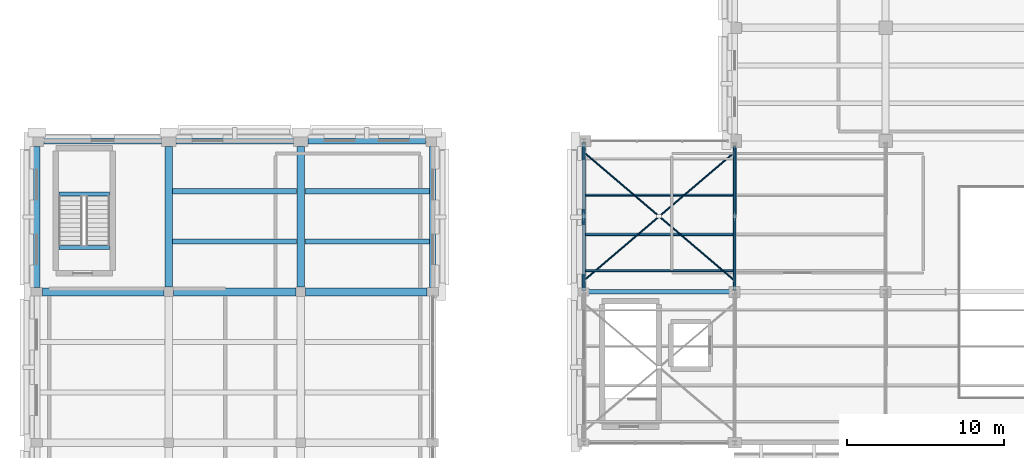
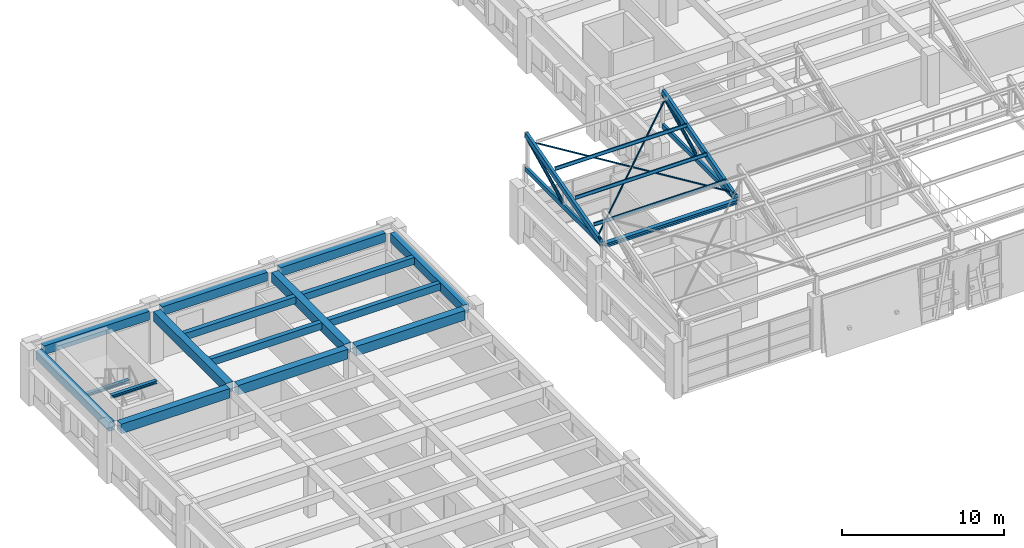
# One storey, part 18 of 58: 17 beams, 14 members.
"""IFC4 building model written with IfcOpenShell, lengths in metres."""

import ifcopenshell
import ifcopenshell.guid

model = None  # the IFC model being written
_history = None  # IfcOwnerHistory: only IFC2X3 demands one
_inside = {}  # id of a spatial element -> (the spatial element, [elements in it])
_under = {}  # id of a project, library or spatial element -> (it, [spatial elements below it])
_declared = {}  # id of a project -> (the project, [libraries it declares])
_typed = {}  # id of a type object -> (the type object, [elements of that type])
_made_of = {}  # id of a material, layer set ... -> (it, [elements and type objects made of it])


def new_model(schema):
    """Start an empty IFC model of exactly this schema.

    Asked for "IFC4X3", IfcOpenShell would pick the latest addendum, in which some entities
    have other attributes; the version numbers below select the first issue.
    IFC2X3 requires an IfcOwnerHistory on every rooted entity: one is made here for all.
    """
    global model, _history
    if schema == "IFC4X3":
        model = ifcopenshell.file(schema_version=(4, 3, 0, 0))
    else:
        model = ifcopenshell.file(schema=schema)
    _inside.clear()
    _under.clear()
    _declared.clear()
    _typed.clear()
    _made_of.clear()
    _history = None
    if model.schema == "IFC2X3":
        org = make("IfcOrganization", Name="unknown")
        user = make(
            "IfcPersonAndOrganization",
            ThePerson=make("IfcPerson", FamilyName="unknown"),
            TheOrganization=org,
        )
        app = make(
            "IfcApplication",
            ApplicationDeveloper=org,
            Version="unknown",
            ApplicationFullName="unknown",
            ApplicationIdentifier="unknown",
        )
        _history = make(
            "IfcOwnerHistory",
            OwningUser=user,
            OwningApplication=app,
            ChangeAction="ADDED",
            CreationDate=0,
        )
    return model


def make(cls, **values):
    """One entity of the class cls with the attributes given. An attribute that is None is left unset."""
    return model.create_entity(
        cls, **{name: value for name, value in values.items() if value is not None}
    )


def rooted(cls, **values):
    """An entity with a GlobalId (a new one), such as an element, a storey or a relation."""
    return make(cls, GlobalId=ifcopenshell.guid.new(), OwnerHistory=_history, **values)


def si_unit(unit_type, name, prefix=None):
    """IfcSIUnit, for example si_unit("LENGTHUNIT", "METRE", prefix="MILLI")."""
    return make("IfcSIUnit", UnitType=unit_type, Prefix=prefix, Name=name)


def assignment(units):
    """IfcUnitAssignment: the units of a project."""
    return None if units is None else make("IfcUnitAssignment", Units=units)


def point(xyz):
    """IfcCartesianPoint."""
    return None if xyz is None else make("IfcCartesianPoint", Coordinates=xyz)


def direction(xyz):
    """IfcDirection."""
    return None if xyz is None else make("IfcDirection", DirectionRatios=xyz)


def frame(location, z_axis=None, x_axis=None):
    """IfcAxis2Placement3D, a coordinate frame: its origin and axes. An axis left out is left unset."""
    return make(
        "IfcAxis2Placement3D",
        Location=point(location),
        Axis=direction(z_axis),
        RefDirection=direction(x_axis),
    )


def frame_2d(location, x_axis=None):
    """IfcAxis2Placement2D, a coordinate frame in the plane: its origin and x axis."""
    return make(
        "IfcAxis2Placement2D", Location=point(location), RefDirection=direction(x_axis)
    )


def origin():
    """The frame at (0, 0, 0) with its axes left unset."""
    return frame((0.0, 0.0, 0.0))


def origin_2d():
    """The frame at (0, 0) in the plane with its x axis left unset."""
    return frame_2d((0.0, 0.0))


def place(relative_to, where):
    """IfcLocalPlacement: puts the frame where relative to a parent placement (None: the world)."""
    return make(
        "IfcLocalPlacement", PlacementRelTo=relative_to, RelativePlacement=where
    )


def context(
    kind, dimensions, precision=None, world=None, true_north=None, identifier=None
):
    """IfcGeometricRepresentationContext, for example the 3D "Model" context."""
    return make(
        "IfcGeometricRepresentationContext",
        ContextIdentifier=identifier,
        ContextType=kind,
        CoordinateSpaceDimension=dimensions,
        Precision=precision,
        WorldCoordinateSystem=world,
        TrueNorth=true_north,
    )


def subcontext(parent, identifier, kind, view, scale=None):
    """IfcGeometricRepresentationSubContext, for example "Body" below "Model"."""
    return make(
        "IfcGeometricRepresentationSubContext",
        ContextIdentifier=identifier,
        ContextType=kind,
        ParentContext=parent,
        TargetScale=scale,
        TargetView=view,
    )


def project(units=None, contexts=None):
    """IfcProject with its units and contexts."""
    return rooted(
        "IfcProject",
        Name="project",
        RepresentationContexts=contexts,
        UnitsInContext=assignment(units),
    )


def spatial(cls, under=None, at=None, **own):
    """A site, building, storey or space (cls), placed at a placement, below another one or the project."""
    s = rooted(cls, ObjectPlacement=at, **own)
    if under is not None:
        _under.setdefault(under.id(), (under, []))[1].append(s)
    return s


def profile(cls, at=None, kind="AREA", **sizes):
    """A parametric profile (cls). Its sizes go by their IFC names, for example OverallWidth=200.0."""
    return make(cls, ProfileType=kind, Position=at, **sizes)


def rectangle(**sizes):
    """IfcRectangleProfileDef."""
    return profile("IfcRectangleProfileDef", **sizes)


def hollow_rectangle(**sizes):
    """IfcRectangleHollowProfileDef."""
    return profile("IfcRectangleHollowProfileDef", **sizes)


def hollow_circle(**sizes):
    """IfcCircleHollowProfileDef."""
    return profile("IfcCircleHollowProfileDef", **sizes)


def i_section(**sizes):
    """IfcIShapeProfileDef."""
    return profile("IfcIShapeProfileDef", **sizes)


def extrude(swept, where, along, depth):
    """IfcExtrudedAreaSolid: the profile swept, set in the frame where, extruded along a direction by depth."""
    return make(
        "IfcExtrudedAreaSolid",
        SweptArea=swept,
        Position=where,
        ExtrudedDirection=direction(along),
        Depth=depth,
    )


def shape(context_of_items, identifier, shape_type, items):
    """IfcShapeRepresentation: the items that make up one representation, for example the "Body"."""
    return make(
        "IfcShapeRepresentation",
        ContextOfItems=context_of_items,
        RepresentationIdentifier=identifier,
        RepresentationType=shape_type,
        Items=items,
    )


def material(Name=None, Category=None):
    """IfcMaterial."""
    return make("IfcMaterial", Name=Name, Category=Category)


def material_profile(
    of_material, cross_section, Name=None, Category=None, Priority=None
):
    """IfcMaterialProfile: a cross section and its material."""
    return make(
        "IfcMaterialProfile",
        Name=Name,
        Material=of_material,
        Profile=cross_section,
        Priority=Priority,
        Category=Category,
    )


def profile_set(profiles, Name=None, composite=None):
    """IfcMaterialProfileSet."""
    return make(
        "IfcMaterialProfileSet",
        Name=Name,
        MaterialProfiles=profiles,
        CompositeProfile=composite,
    )


def made_of(thing, what):
    """Note that an element or type object is made of a material, layer set ...; save() writes the relation."""
    if what is not None:
        _made_of.setdefault(what.id(), (what, []))[1].append(thing)
    return thing


def type_object(cls, material=None, **own):
    """A type object (cls), such as IfcWallType, which elements share."""
    return made_of(rooted(cls, **own), material)


def element(
    cls,
    number,
    at=None,
    inside=None,
    cuts=None,
    type_object=None,
    material=None,
    context=None,
    identifier="Body",
    shape_type=None,
    held_by="IfcProductDefinitionShape",
    body=None,
    shapes=None,
    **own,
):
    """One element of the class cls, such as IfcWall. Its Tag is "e" and its number.

    at: its placement. inside: the storey or other place that contains it. cuts: it is an
    opening in that element (IfcRelVoidsElement). A single representation is given by context,
    identifier, shape_type and body (its items); several are given by shapes. held_by: the class
    of the entity that holds the representations. save() writes the other relations.
    """
    e = rooted(cls, Tag="e%d" % number, ObjectPlacement=at, **own)
    if body is not None:
        shapes = [shape(context, identifier, shape_type, body)]
    if shapes is not None:
        e.Representation = make(held_by, Representations=shapes)
    if inside is not None:
        _inside.setdefault(inside.id(), (inside, []))[1].append(e)
    if cuts is not None:
        rooted(
            "IfcRelVoidsElement", RelatingBuildingElement=cuts, RelatedOpeningElement=e
        )
    if type_object is not None:
        _typed.setdefault(type_object.id(), (type_object, []))[1].append(e)
    return made_of(e, material)


def aggregate(whole, parts):
    """IfcRelAggregates: a whole, such as a stair, and the parts it consists of."""
    return rooted("IfcRelAggregates", RelatingObject=whole, RelatedObjects=parts)


def save(model, path):
    """Write the relations noted so far, then the file.

    IfcRelAggregates (storeys below a building ...), IfcRelContainedInSpatialStructure (elements
    in a storey), IfcRelDefinesByType, IfcRelAssociatesMaterial and IfcRelDeclares: one each for
    every whole, place, type object, material and project.
    """
    for whole, parts in _under.values():
        aggregate(whole, parts)
    for where, things in _inside.values():
        rooted(
            "IfcRelContainedInSpatialStructure",
            RelatedElements=things,
            RelatingStructure=where,
        )
    for kind, things in _typed.values():
        rooted("IfcRelDefinesByType", RelatedObjects=things, RelatingType=kind)
    for what, things in _made_of.values():
        rooted("IfcRelAssociatesMaterial", RelatedObjects=things, RelatingMaterial=what)
    for by, libraries in _declared.values():
        rooted("IfcRelDeclares", RelatingContext=by, RelatedDefinitions=libraries)
    model.write(path)


model = new_model("IFC4")

# Units and contexts
model_context = context("Model", 3, precision=1e-05, world=origin(), true_north=direction((0.0, 1.0)))
body_context = subcontext(model_context, "Body", "Model", "MODEL_VIEW")
ifc_project = project(units=[si_unit("LENGTHUNIT", "METRE"), si_unit("AREAUNIT", "SQUARE_METRE"), si_unit("VOLUMEUNIT", "CUBIC_METRE"), si_unit("PLANEANGLEUNIT", "RADIAN"), si_unit("MASSUNIT", "GRAM", prefix="KILO")], contexts=[model_context])

# Site, building, storey
site_placement = place(None, origin())
site = spatial("IfcSite", under=ifc_project, at=site_placement, CompositionType="ELEMENT")
building_placement = place(site_placement, origin())
building = spatial("IfcBuilding", under=site, at=building_placement, Name="Bempovik Park Faculty of Sciences", CompositionType="ELEMENT")
storey_placement = place(building_placement, frame((0.0, 0.0, 18.300048828125)))
storey = spatial("IfcBuildingStorey", under=building, at=storey_placement, Name="L04", CompositionType="ELEMENT", Elevation=18.300048828125)

# Beams
ifc_material_1 = material(Name="Concrete C35/45", Category="concrete")
ifc_material_profile_1 = material_profile(ifc_material_1, rectangle(XDim=0.320068359375, YDim=0.52001953125, at=origin_2d()), Name="RC 320x520")
ifc_profile_set_1 = profile_set([ifc_material_profile_1], Name="Concrete C35/45")
beam_type_1 = type_object("IfcBeamType", Name="B-028 RC 320x520", PredefinedType="JOIST", material=ifc_profile_set_1)
for number, where, z_axis, x_axis, name in (
    (1, (24.256103515625, 80.60009765625, 3.639892578125), (1.0, 0.0, 0.0), (0.0, 1.0, 0.0), "L04 Secondary Joist (24.0-32.4, y=80.60)"),
    (2, (24.256103515625, 83.800048828125, 3.639892578125), (1.0, 0.0, 0.0), (0.0, 1.0, 0.0), "L04 Secondary Joist (24.0-32.4, y=83.80)"),
):
    element("IfcBeam", number, at=place(storey_placement, frame(where, z_axis=z_axis, x_axis=x_axis)), inside=storey, type_object=beam_type_1, Name=name, PredefinedType="JOIST", context=body_context, shape_type="SweptSolid", body=[
        extrude(rectangle(XDim=0.320068359375, YDim=0.52001953125, at=origin_2d()), origin(), (0.0, 0.0, 1.0), 7.887939453125),
    ])
for number, where, z_axis, x_axis, name in (
    (3, (32.656005859375, 80.60009765625, 3.639892578125), (1.0, 0.0, 0.0), (0.0, 1.0, 0.0), "L04 Secondary Joist (32.4-40.8, y=80.60)"),
    (4, (32.656005859375, 83.800048828125, 3.639892578125), (1.0, 0.0, 0.0), (0.0, 1.0, 0.0), "L04 Secondary Joist (32.4-40.8, y=83.80)"),
):
    element("IfcBeam", number, at=place(storey_placement, frame(where, z_axis=z_axis, x_axis=x_axis)), inside=storey, type_object=beam_type_1, Name=name, PredefinedType="JOIST", context=body_context, shape_type="SweptSolid", body=[
        extrude(rectangle(XDim=0.320068359375, YDim=0.52001953125, at=origin_2d()), origin(), (0.0, 0.0, 1.0), 7.93798828125),
    ])
ifc_material_2 = material(Name="Steel S355", Category="steel")
ifc_material_profile_2 = material_profile(ifc_material_2, i_section(OverallWidth=0.239990234375, OverallDepth=0.22998046875, WebThickness=0.007568359375, FlangeThickness=0.011962890625, at=origin_2d()), Name="HEA 240")
ifc_profile_set_2 = profile_set([ifc_material_profile_2], Name="Steel S355")
beam_type_2 = type_object("IfcBeamType", Name="B-070 HEA 240", PredefinedType="BEAM", material=ifc_profile_set_2)
for number, where, z_axis, x_axis, name in (
    (5, (17.006103515625, 83.61865234375, 1.784912109375), (1.0, 0.0, 0.0), (0.0, 1.0, 0.0), "L04 ST-3 Half-Landing Trimmer Beam"),
    (6, (17.006103515625, 80.22509765625, 3.784912109375), (1.0, 0.0, 0.0), (0.0, 1.0, 0.0), "L05 ST-3 Floor Landing Trimmer Beam"),
):
    element("IfcBeam", number, at=place(storey_placement, frame(where, z_axis=z_axis, x_axis=x_axis)), inside=storey, type_object=beam_type_2, Name=name, PredefinedType="BEAM", context=body_context, shape_type="SweptSolid", body=[
        extrude(i_section(OverallWidth=0.239990234375, OverallDepth=0.22998046875, WebThickness=0.007568359375, FlangeThickness=0.011962890625, at=origin_2d()), origin(), (0.0, 0.0, 1.0), 3.23779296875),
    ])
ifc_material_profile_3 = material_profile(ifc_material_1, rectangle(XDim=0.5, YDim=0.719970703125, at=origin_2d()), Name="RC 500x720")
ifc_profile_set_3 = profile_set([ifc_material_profile_3], Name="Concrete C35/45")
beam_type_3 = type_object("IfcBeamType", Name="B-092 RC 500x720", PredefinedType="BEAM", material=ifc_profile_set_3)
beam_1_placement = place(storey_placement, frame((15.966064453125, 77.39990234375, 3.5400390625), z_axis=(1.0, 0.0, 0.0), x_axis=(0.0, 1.0, 0.0)))
element("IfcBeam", 7, at=beam_1_placement, inside=storey, type_object=beam_type_3, Name="L04 Beam X (15.6-24.0, y=77.4)", PredefinedType="BEAM", context=body_context, shape_type="SweptSolid", body=[
    extrude(rectangle(XDim=0.5, YDim=0.719970703125, at=origin_2d()), origin(), (0.0, 0.0, 1.0), 7.72802734375),
])
beam_2_placement = place(storey_placement, frame((24.305908203125, 77.39990234375, 3.5400390625), z_axis=(1.0, 0.0, 0.0), x_axis=(0.0, 1.0, 0.0)))
element("IfcBeam", 8, at=beam_2_placement, inside=storey, type_object=beam_type_3, Name="L04 Beam X (24.0-32.4, y=77.4)", PredefinedType="BEAM", context=body_context, shape_type="SweptSolid", body=[
    extrude(rectangle(XDim=0.5, YDim=0.719970703125, at=origin_2d()), origin(), (0.0, 0.0, 1.0), 7.7880859375),
])
beam_3_placement = place(storey_placement, frame((32.7060546875, 77.39990234375, 3.5400390625), z_axis=(1.0, 0.0, 0.0), x_axis=(0.0, 1.0, 0.0)))
element("IfcBeam", 9, at=beam_3_placement, inside=storey, type_object=beam_type_3, Name="L04 Beam X (32.4-40.8, y=77.4)", PredefinedType="BEAM", context=body_context, shape_type="SweptSolid", body=[
    extrude(rectangle(XDim=0.5, YDim=0.719970703125, at=origin_2d()), origin(), (0.0, 0.0, 1.0), 7.72802734375),
])
for number, where, z_axis, x_axis, name in (
    (10, (24.0, 77.7060546875, 3.5400390625), (0.0, 1.0, 0.0), (-1.0, 0.0, 0.0), "L04 Beam Y (x=24.0, 77.4-87.0)"),
    (11, (32.39990234375, 77.7060546875, 3.5400390625), (0.0, 1.0, 0.0), (-1.0, 0.0, 0.0), "L04 Beam Y (x=32.4, 77.4-87.0)"),
):
    element("IfcBeam", number, at=place(storey_placement, frame(where, z_axis=z_axis, x_axis=x_axis)), inside=storey, type_object=beam_type_3, Name=name, PredefinedType="BEAM", context=body_context, shape_type="SweptSolid", body=[
        extrude(rectangle(XDim=0.5, YDim=0.719970703125, at=origin_2d()), origin(), (0.0, 0.0, 1.0), 8.93798828125),
    ])
ifc_material_profile_4 = material_profile(ifc_material_1, rectangle(XDim=0.39990234375, YDim=0.659912109375, at=origin_2d()), Name="RC 400x660")
ifc_profile_set_4 = profile_set([ifc_material_profile_4], Name="Concrete C35/45")
beam_type_4 = type_object("IfcBeamType", Name="B-097 RC 400x660", PredefinedType="SPANDREL", material=ifc_profile_set_4)
for number, where, z_axis, x_axis, name in (
    (12, (16.055908203125, 87.0, 3.570068359375), (1.0, 0.0, 0.0), (0.0, 1.0, 0.0), "L04 Beam X (15.6-24.0, y=87.0)"),
    (13, (24.4560546875, 87.0, 3.570068359375), (1.0, 0.0, 0.0), (0.0, 1.0, 0.0), "L04 Beam X (24.0-32.4, y=87.0)"),
    (14, (32.85595703125, 87.0, 3.570068359375), (1.0, 0.0, 0.0), (0.0, 1.0, 0.0), "L04 Beam X (32.4-40.8, y=87.0)"),
):
    element("IfcBeam", number, at=place(storey_placement, frame(where, z_axis=z_axis, x_axis=x_axis)), inside=storey, type_object=beam_type_4, Name=name, PredefinedType="SPANDREL", context=body_context, shape_type="SweptSolid", body=[
        extrude(rectangle(XDim=0.39990234375, YDim=0.659912109375, at=origin_2d()), origin(), (0.0, 0.0, 1.0), 7.488037109375),
    ])
for number, where, z_axis, x_axis, name in (
    (15, (15.60009765625, 77.676025390625, 3.570068359375), (0.0, 1.0, 0.0), (-1.0, 0.0, 0.0), "L04 Beam Y (x=15.6, 77.4-87.0)"),
    (16, (40.800048828125, 77.676025390625, 3.570068359375), (0.0, 1.0, 0.0), (-1.0, 0.0, 0.0), "L04 Beam Y (x=40.8, 77.4-87.0)"),
):
    element("IfcBeam", number, at=place(storey_placement, frame(where, z_axis=z_axis, x_axis=x_axis)), inside=storey, type_object=beam_type_4, Name=name, PredefinedType="SPANDREL", context=body_context, shape_type="SweptSolid", body=[
        extrude(rectangle(XDim=0.39990234375, YDim=0.659912109375, at=origin_2d()), origin(), (0.0, 0.0, 1.0), 8.968017578125),
    ])
ifc_material_profile_5 = material_profile(ifc_material_2, i_section(OverallWidth=0.300048828125, OverallDepth=0.2900390625, WebThickness=0.008544921875, FlangeThickness=0.013916015625, at=origin_2d()), Name="HEA 300")
ifc_profile_set_5 = profile_set([ifc_material_profile_5], Name="Steel S355")
beam_type_5 = type_object("IfcBeamType", Name="B-131 HEA 300", PredefinedType="BEAM", material=ifc_profile_set_5)
beam_4_placement = place(storey_placement, frame((50.530029296875, 77.39990234375, 5.179931640625), z_axis=(1.0, 0.0, 0.0), x_axis=(0.0, 1.0, 0.0)))
element("IfcBeam", 17, at=beam_4_placement, inside=storey, type_object=beam_type_5, Name="Sawtooth Valley Tie Beam V2-B2 (50.4-60.0)", PredefinedType="BEAM", context=body_context, shape_type="SweptSolid", body=[
    extrude(i_section(OverallWidth=0.300048828125, OverallDepth=0.2900390625, WebThickness=0.008544921875, FlangeThickness=0.013916015625, at=origin_2d()), origin(), (0.0, 0.0, 1.0), 9.340087890625),
])

# Members
ifc_material_profile_6 = material_profile(ifc_material_2, hollow_rectangle(XDim=0.175048828125, YDim=0.35009765625, WallThickness=0.012451171875, at=origin_2d()), Name="RHS 350x175x12.5")
ifc_profile_set_6 = profile_set([ifc_material_profile_6], Name="Steel S355")
member_type_1 = type_object("IfcMemberType", Name="M-15 RHS 350x175x12.5", PredefinedType="CHORD", material=ifc_profile_set_6)
member_1_placement = place(storey_placement, frame((50.39990234375, 77.535888671875, 5.179931640625), z_axis=(0.0, 1.0, 0.0), x_axis=(-1.0, 0.0, 0.0)))
element("IfcMember", 18, at=member_1_placement, inside=storey, type_object=member_type_1, Name="Sawtooth Bottom Chord V2-B2 (50.4)", PredefinedType="CHORD", context=body_context, shape_type="SweptSolid", body=[
    extrude(hollow_rectangle(XDim=0.175048828125, YDim=0.35009765625, WallThickness=0.012451171875, at=origin_2d()), origin(), (0.0, 0.0, 1.0), 9.328125),
])
member_2_placement = place(storey_placement, frame((60.0, 77.535888671875, 5.179931640625), z_axis=(0.0, 1.0, 0.0), x_axis=(-1.0, 0.0, 0.0)))
element("IfcMember", 19, at=member_2_placement, inside=storey, type_object=member_type_1, Name="Sawtooth Bottom Chord V2-B2 (60.0)", PredefinedType="CHORD", context=body_context, shape_type="SweptSolid", body=[
    extrude(hollow_rectangle(XDim=0.175048828125, YDim=0.35009765625, WallThickness=0.012451171875, at=origin_2d()), origin(), (0.0, 0.0, 1.0), 9.108154296875),
])
ifc_material_profile_7 = material_profile(ifc_material_2, i_section(OverallWidth=0.110107421875, OverallDepth=0.219970703125, WebThickness=0.005859375, FlangeThickness=0.00927734375, at=origin_2d()), Name="IPE 220")
ifc_profile_set_7 = profile_set([ifc_material_profile_7], Name="Steel S355")
member_type_2 = type_object("IfcMemberType", Name="M-18 IPE 220", PredefinedType="PURLIN", material=ifc_profile_set_7)
member_3_placement = place(storey_placement, frame((50.506103515625, 78.743896484375, 5.87744140625), z_axis=(1.0, 0.0, 0.0), x_axis=(0.0, 0.965925826289, -0.258819045103)))
element("IfcMember", 20, at=member_3_placement, inside=storey, type_object=member_type_2, Name="Sawtooth Roof Purlin V2-B2 (50.4-60.0) #1", PredefinedType="PURLIN", context=body_context, shape_type="SweptSolid", body=[
    extrude(i_section(OverallWidth=0.110107421875, OverallDepth=0.219970703125, WebThickness=0.005859375, FlangeThickness=0.00927734375, at=origin_2d()), origin(), (0.0, 0.0, 1.0), 9.387939453125),
])
ifc_material_profile_8 = material_profile(ifc_material_2, hollow_circle(Radius=0.109619140625, WallThickness=0.010009765625, at=origin_2d()), Name="CHS 219.1x10")
ifc_profile_set_8 = profile_set([ifc_material_profile_8], Name="Steel S355")
member_type_3 = type_object("IfcMemberType", Name="M-22 CHS 219.1x10", PredefinedType="BRACE", material=ifc_profile_set_8)
for number, where, z_axis, x_axis, name in (
    (21, (50.39990234375, 82.304931640625, 5.36083984375), (0.0, 0.896782958268, 0.442470706105), (-1.0, 0.0, 0.0), "Sawtooth Web Diagonal 2 V2-B2 (50.4)"),
    (22, (60.0, 82.304931640625, 5.36083984375), (0.0, 0.896782958268, 0.442470706105), (-1.0, 0.0, 0.0), "Sawtooth Web Diagonal 2 V2-B2 (60.0)"),
):
    element("IfcMember", number, at=place(storey_placement, frame(where, z_axis=z_axis, x_axis=x_axis)), inside=storey, type_object=member_type_3, Name=name, PredefinedType="BRACE", context=body_context, shape_type="SweptSolid", body=[
        extrude(hollow_circle(Radius=0.109619140625, WallThickness=0.010009765625, at=origin_2d()), origin(), (0.0, 0.0, 1.0), 4.844970703125),
    ])
ifc_material_profile_9 = material_profile(ifc_material_2, hollow_rectangle(XDim=0.199951171875, YDim=0.39990234375, WallThickness=0.01611328125, at=origin_2d()), Name="RHS 400x200x16")
ifc_profile_set_9 = profile_set([ifc_material_profile_9], Name="Steel S355")
member_type_4 = type_object("IfcMemberType", Name="M-53 RHS 400x200x16", PredefinedType="CHORD", material=ifc_profile_set_9)
member_4_placement = place(storey_placement, frame((50.39990234375, 77.535888671875, 5.182373046875), z_axis=(0.0, 0.964019377514, 0.265831976588), x_axis=(-1.0, 0.0, 0.0)))
element("IfcMember", 23, at=member_4_placement, inside=storey, type_object=member_type_4, Name="Sawtooth Top Rafter Chord V2-B2 (50.4)", PredefinedType="CHORD", context=body_context, shape_type="SweptSolid", body=[
    extrude(hollow_rectangle(XDim=0.199951171875, YDim=0.39990234375, WallThickness=0.01611328125, at=origin_2d()), origin(), (0.0, 0.0, 1.0), 9.67626953125),
])
member_5_placement = place(storey_placement, frame((60.0, 77.535888671875, 5.182373046875), z_axis=(0.0, 0.962358551533, 0.271783035327), x_axis=(-1.0, 0.0, 0.0)))
element("IfcMember", 24, at=member_5_placement, inside=storey, type_object=member_type_4, Name="Sawtooth Top Rafter Chord V2-B2 (60.0)", PredefinedType="CHORD", context=body_context, shape_type="SweptSolid", body=[
    extrude(hollow_rectangle(XDim=0.199951171875, YDim=0.39990234375, WallThickness=0.01611328125, at=origin_2d()), origin(), (0.0, 0.0, 1.0), 9.46435546875),
])
ifc_material_profile_10 = material_profile(ifc_material_2, hollow_circle(Radius=0.05712890625, WallThickness=0.00634765625, at=origin_2d()), Name="CHS 114.3x6.3")
ifc_profile_set_10 = profile_set([ifc_material_profile_10], Name="Steel S355")
member_type_5 = type_object("IfcMemberType", Name="M-72 CHS 114.3x6.3", PredefinedType="BRACE", material=ifc_profile_set_10)
member_6_placement = place(storey_placement, frame((50.5, 78.199951171875, 5.396728515625), z_axis=(0.750306215028, 0.638565114904, 0.171099905666), x_axis=(-0.648122534457, 0.761536066335, 0.0)))
element("IfcMember", 25, at=member_6_placement, inside=storey, type_object=member_type_5, Name="Sawtooth Continuous Roof X-Brace V2-B2 (50.4-60.0)", PredefinedType="BRACE", context=body_context, shape_type="SweptSolid", body=[
    extrude(hollow_circle(Radius=0.05712890625, WallThickness=0.00634765625, at=origin_2d()), origin(), (0.0, 0.0, 1.0), 12.528076171875),
])
for number, where, z_axis, x_axis, name in (
    (26, (50.5, 86.199951171875, 7.540283203125), (0.750327438995, -0.638539524895, -0.171102336154), (0.648096839088, 0.761557934214, 0.0), "Sawtooth Split X-Brace Half A V2-B2 (50.4-60.0)"),
    (27, (55.267578125, 82.142578125, 6.453125), (0.750291211486, -0.638581889654, -0.171103092237), (0.648139924316, 0.761521265959, 0.0), "Sawtooth Split X-Brace Half B V2-B2 (50.4-60.0)"),
):
    element("IfcMember", number, at=place(storey_placement, frame(where, z_axis=z_axis, x_axis=x_axis)), inside=storey, type_object=member_type_5, Name=name, PredefinedType="BRACE", context=body_context, shape_type="SweptSolid", body=[
        extrude(hollow_circle(Radius=0.05712890625, WallThickness=0.00634765625, at=origin_2d()), origin(), (0.0, 0.0, 1.0), 6.174072265625),
    ])
ifc_material_profile_11 = material_profile(ifc_material_2, hollow_circle(Radius=0.096923828125, WallThickness=0.008056640625, at=origin_2d()), Name="CHS 193.7x8")
ifc_profile_set_11 = profile_set([ifc_material_profile_11], Name="Steel S355")
member_type_6 = type_object("IfcMemberType", Name="M-74 CHS 193.7x8", PredefinedType="BRACE", material=ifc_profile_set_11)
for number, where, z_axis, x_axis, name in (
    (28, (50.39990234375, 77.7099609375, 5.36083984375), (0.0, 0.980118341504, 0.198413801554), (-1.0, 0.0, 0.0), "Sawtooth Web Diagonal 1 V2-B2 (50.4)"),
    (29, (60.0, 77.7099609375, 5.36083984375), (0.0, 0.980118341504, 0.198413801554), (-1.0, 0.0, 0.0), "Sawtooth Web Diagonal 1 V2-B2 (60.0)"),
):
    element("IfcMember", number, at=place(storey_placement, frame(where, z_axis=z_axis, x_axis=x_axis)), inside=storey, type_object=member_type_6, Name=name, PredefinedType="BRACE", context=body_context, shape_type="SweptSolid", body=[
        extrude(hollow_circle(Radius=0.096923828125, WallThickness=0.008056640625, at=origin_2d()), origin(), (0.0, 0.0, 1.0), 4.473876953125),
    ])
ifc_material_profile_12 = material_profile(ifc_material_2, i_section(OverallWidth=0.1201171875, OverallDepth=0.239990234375, WebThickness=0.006103515625, FlangeThickness=0.009765625, at=origin_2d()), Name="IPE 240")
ifc_profile_set_12 = profile_set([ifc_material_profile_12], Name="Steel S355")
member_type_7 = type_object("IfcMemberType", Name="M-86 IPE 240", PredefinedType="PURLIN", material=ifc_profile_set_12)
for number, where, z_axis, x_axis, name in (
    (30, (50.506103515625, 81.048095703125, 6.48486328125), (1.0, 0.0, 0.0), (0.0, 0.965925826289, -0.258819045103), "Sawtooth Roof Purlin V2-B2 (50.4-60.0) #2"),
    (31, (50.506103515625, 83.5439453125, 7.153564453125), (1.0, 0.0, 0.0), (0.0, 0.965925826289, -0.258819045103), "Sawtooth Roof Purlin V2-B2 (50.4-60.0) #3"),
):
    element("IfcMember", number, at=place(storey_placement, frame(where, z_axis=z_axis, x_axis=x_axis)), inside=storey, type_object=member_type_7, Name=name, PredefinedType="PURLIN", context=body_context, shape_type="SweptSolid", body=[
        extrude(i_section(OverallWidth=0.1201171875, OverallDepth=0.239990234375, WebThickness=0.006103515625, FlangeThickness=0.009765625, at=origin_2d()), origin(), (0.0, 0.0, 1.0), 9.387939453125),
    ])

save(model, "model.ifc")
